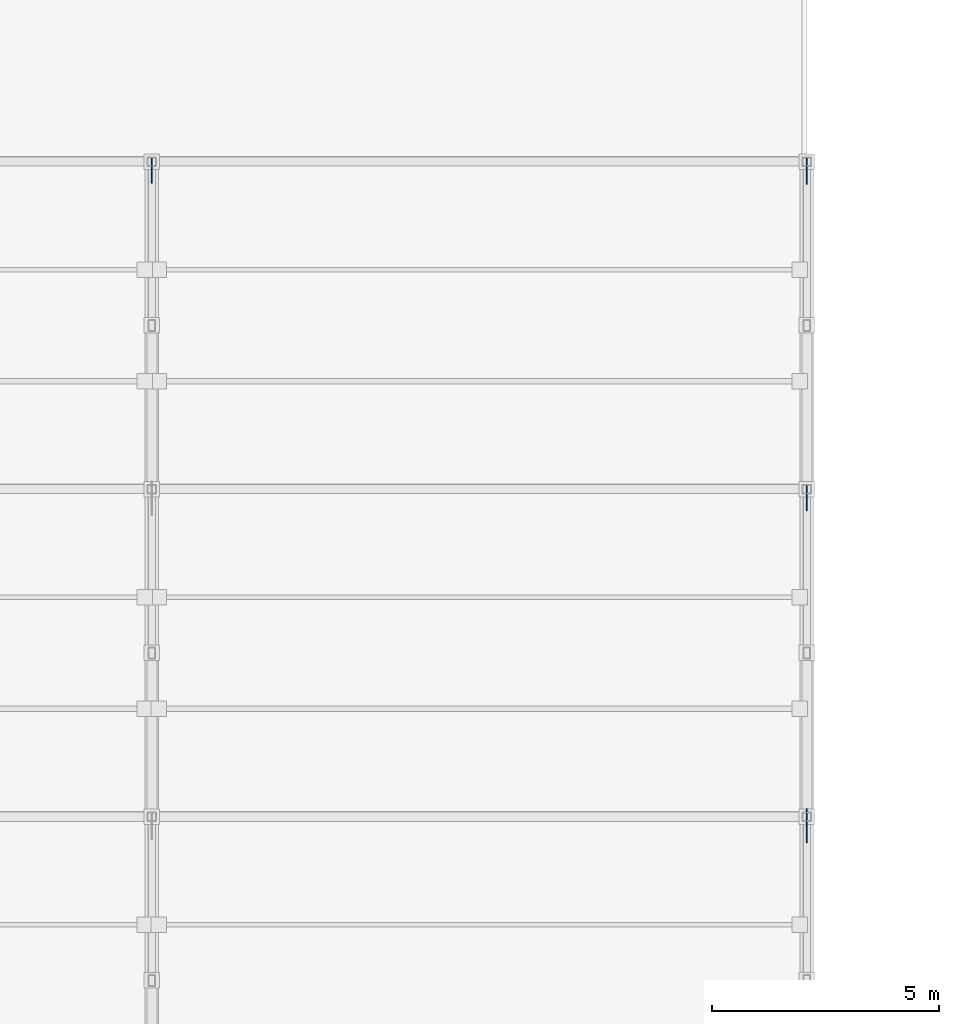
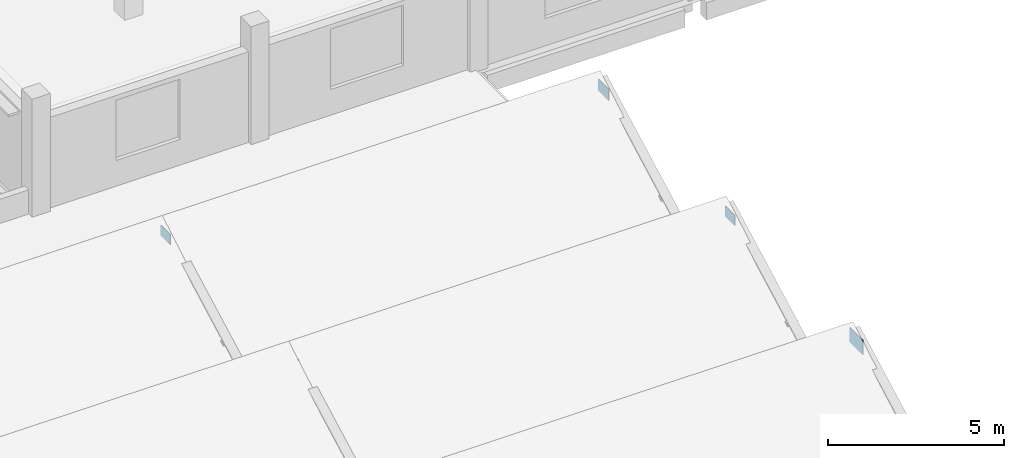
# One storey, part 38 of 62: 4 plates.
"""IFC4 building model written with IfcOpenShell, lengths in metres."""

from ifc_helpers import new_model, si_unit, direction, frame, origin, origin_2d, place, context, subcontext, project, spatial, rectangle, extrude, material, type_object, element, save


model = new_model("IFC4")

# Units and contexts
model_context = context("Model", 3, precision=1e-05, world=origin(), true_north=direction((0.0, 1.0)))
body_context = subcontext(model_context, "Body", "Model", "MODEL_VIEW")
ifc_project = project(units=[si_unit("LENGTHUNIT", "METRE"), si_unit("AREAUNIT", "SQUARE_METRE"), si_unit("VOLUMEUNIT", "CUBIC_METRE"), si_unit("PLANEANGLEUNIT", "RADIAN"), si_unit("MASSUNIT", "GRAM", prefix="KILO")], contexts=[model_context])

# Site, building, storey
site_placement = place(None, origin())
site = spatial("IfcSite", under=ifc_project, at=site_placement, CompositionType="ELEMENT")
building_placement = place(site_placement, origin())
building = spatial("IfcBuilding", under=site, at=building_placement, Name="Valkovuoma Quantum and Materials Research Institute", CompositionType="ELEMENT")
storey_placement = place(building_placement, frame((0.0, 0.0, 13.1201171875)))
storey = spatial("IfcBuildingStorey", under=building, at=storey_placement, Name="L03", CompositionType="ELEMENT", Elevation=13.1201171875)

# Plates
ifc_material_1 = material(Name="Steel S355J2", Category="steel")
plate_type_1 = type_object("IfcPlateType", Name="Plate-PL-GUS1", PredefinedType="USERDEFINED", material=ifc_material_1)
plate_1_placement = place(storey_placement, frame((144.0, 28.60009765625, 3.449951171875), z_axis=(0.0, 0.0, 1.0), x_axis=(0.0, 1.0, 0.0)))
element("IfcPlate", 1, at=plate_1_placement, inside=storey, type_object=plate_type_1, Name="L03 VOL1 truss gusset 4.3", ObjectType="GUSSET_PLATE", PredefinedType="USERDEFINED", context=body_context, shape_type="SweptSolid", body=[
    extrude(rectangle(XDim=0.60009765625, YDim=0.02490234375, at=origin_2d()), origin(), (0.0, 0.0, 1.0), 0.39990234375),
])
ifc_material_2 = material(Name="Steel S355J2", Category="steel")
plate_type_2 = type_object("IfcPlateType", Name="Plate-PL-GUS2", PredefinedType="USERDEFINED", material=ifc_material_2)
plate_2_placement = place(storey_placement, frame((144.0, 14.199951171875, 3.39990234375), z_axis=(0.0, 0.0, 1.0), x_axis=(0.0, 1.0, 0.0)))
element("IfcPlate", 2, at=plate_2_placement, inside=storey, type_object=plate_type_2, Name="L03 VOL1 truss gusset 4.1", ObjectType="GUSSET_PLATE", PredefinedType="USERDEFINED", context=body_context, shape_type="SweptSolid", body=[
    extrude(rectangle(XDim=0.75, YDim=0.02490234375, at=origin_2d()), origin(), (0.0, 0.0, 1.0), 0.5),
])
ifc_material_3 = material(Name="Steel S355J2", Category="steel")
plate_type_3 = type_object("IfcPlateType", Name="Plate-PL-GUS4", PredefinedType="USERDEFINED", material=ifc_material_3)
for number, where, z_axis, x_axis, name in (
    (3, (129.60009765625, 28.60009765625, 3.4697265625), (0.0, 0.0, 1.0), (0.0, 1.0, 0.0), "L03 VOL1 truss gusset 3.3"),
    (4, (144.0, 21.39990234375, 3.4697265625), (0.0, 0.0, 1.0), (0.0, 1.0, 0.0), "L03 VOL1 truss gusset 4.2"),
):
    element("IfcPlate", number, at=place(storey_placement, frame(where, z_axis=z_axis, x_axis=x_axis)), inside=storey, type_object=plate_type_3, Name=name, ObjectType="GUSSET_PLATE", PredefinedType="USERDEFINED", context=body_context, shape_type="SweptSolid", body=[
        extrude(rectangle(XDim=0.550048828125, YDim=0.02490234375, at=origin_2d()), origin(), (0.0, 0.0, 1.0), 0.360107421875),
    ])

save(model, "model.ifc")
